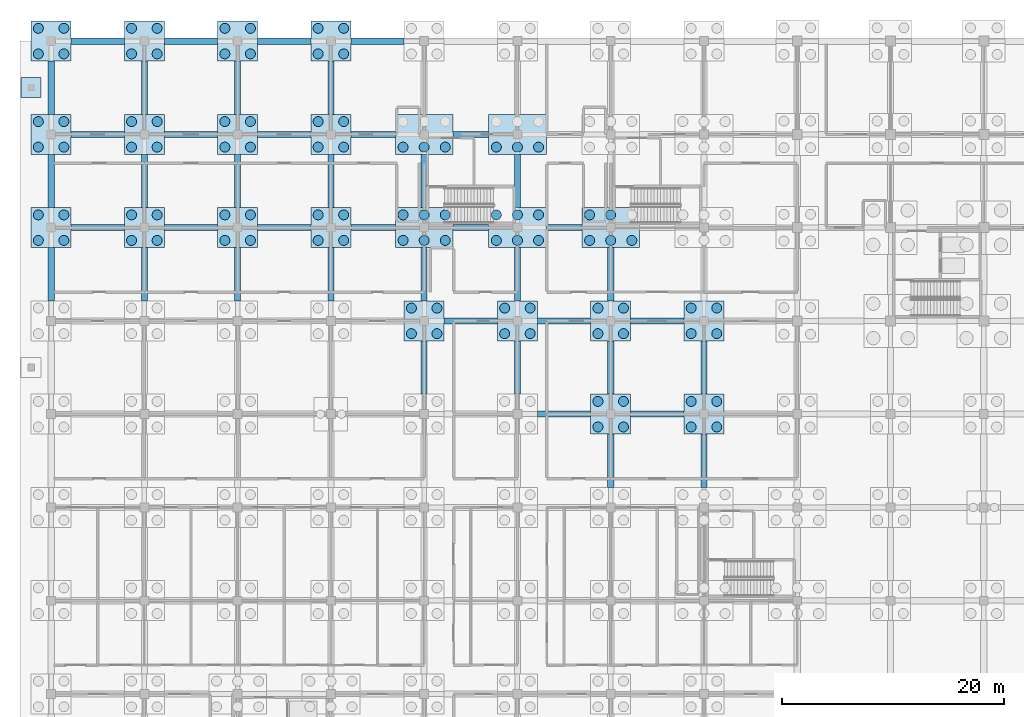
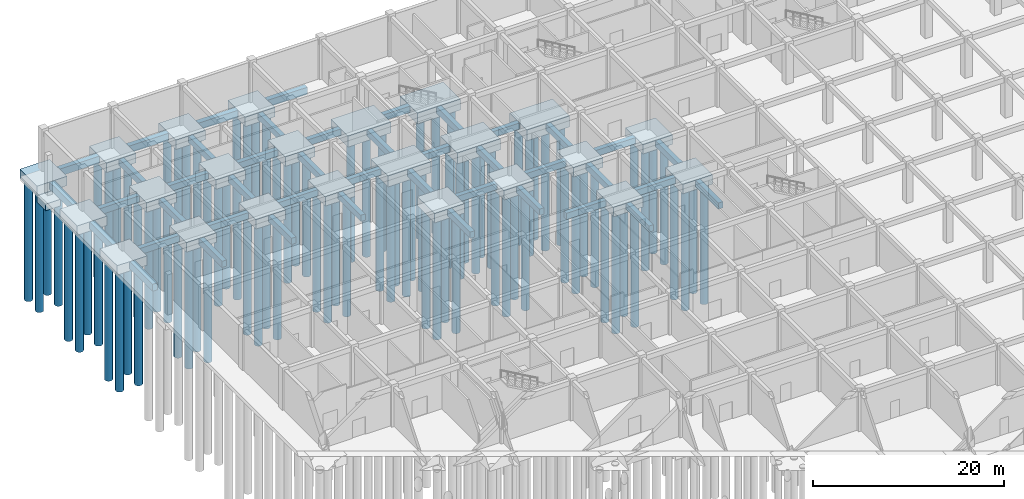
# One storey, part 8 of 65: 95 piles, 67 footings.
"""IFC4 building model written with IfcOpenShell, lengths in metres."""

from ifc_helpers import new_model, si_unit, direction, frame, origin, origin_2d, place, context, subcontext, project, spatial, rectangle, circle, extrude, material, material_profile, profile_set, type_object, element, save


model = new_model("IFC4")

# Units and contexts
model_context = context("Model", 3, precision=1e-05, world=origin(), true_north=direction((0.0, 1.0)))
body_context = subcontext(model_context, "Body", "Model", "MODEL_VIEW")
ifc_project = project(units=[si_unit("LENGTHUNIT", "METRE"), si_unit("AREAUNIT", "SQUARE_METRE"), si_unit("VOLUMEUNIT", "CUBIC_METRE"), si_unit("PLANEANGLEUNIT", "RADIAN"), si_unit("MASSUNIT", "GRAM", prefix="KILO")], contexts=[model_context])

# Site, building, storey
site_placement = place(None, origin())
site = spatial("IfcSite", under=ifc_project, at=site_placement, CompositionType="ELEMENT")
building_placement = place(site_placement, origin())
building = spatial("IfcBuilding", under=site, at=building_placement, Name="Bramfleet General Hospital", CompositionType="ELEMENT")
storey_placement = place(building_placement, frame((0.0, 0.0, -5.39990234375)))
storey = spatial("IfcBuildingStorey", under=building, at=storey_placement, Name="B1", CompositionType="ELEMENT", Elevation=-5.39990234375)

# Footings
ifc_material = material(Name="Concrete C35/45", Category="concrete")
ifc_material_profile_1 = material_profile(ifc_material, rectangle(XDim=0.550048828125, YDim=0.800048828125, at=origin_2d()), Name="RC FB 800x550")
ifc_profile_set_1 = profile_set([ifc_material_profile_1], Name="Concrete C35/45")
footing_type_1 = type_object("IfcFootingType", Name="FTG-FB-01", PredefinedType="FOOTING_BEAM", material=ifc_profile_set_1)
for number, where, z_axis, x_axis, name in (
    (1, (1.800048828125, 100.800048828125, -0.900146484375), (1.0, 0.0, 0.0), (0.0, 1.0, 0.0), "Foundation Tie Beam X 00-12"),
    (2, (1.800048828125, 109.199951171875, -0.900146484375), (1.0, 0.0, 0.0), (0.0, 1.0, 0.0), "Foundation Tie Beam X 00-13"),
    (3, (8.39990234375, 94.199951171875, -0.900146484375), (0.0, 1.0, 0.0), (-1.0, 0.0, 0.0), "Foundation Tie Beam Y 01-11"),
    (4, (10.199951171875, 100.800048828125, -0.900146484375), (1.0, 0.0, 0.0), (0.0, 1.0, 0.0), "Foundation Tie Beam X 01-12"),
):
    element("IfcFooting", number, at=place(storey_placement, frame(where, z_axis=z_axis, x_axis=x_axis)), inside=storey, type_object=footing_type_1, Name=name, PredefinedType="FOOTING_BEAM", context=body_context, shape_type="SweptSolid", body=[
        extrude(rectangle(XDim=0.550048828125, YDim=0.800048828125, at=origin_2d()), origin(), (0.0, 0.0, 1.0), 4.800048828125),
    ])
footing_1_placement = place(storey_placement, frame((8.39990234375, 102.60009765625, -0.900146484375), z_axis=(0.0, 1.0, 0.0), x_axis=(-1.0, 0.0, 0.0)))
element("IfcFooting", 5, at=footing_1_placement, inside=storey, type_object=footing_type_1, Name="Foundation Tie Beam Y 01-12", PredefinedType="FOOTING_BEAM", context=body_context, shape_type="SweptSolid", body=[
    extrude(rectangle(XDim=0.550048828125, YDim=0.800048828125, at=origin_2d()), origin(), (0.0, 0.0, 1.0), 4.7998046875),
])
for number, where, z_axis, x_axis, name in (
    (6, (10.199951171875, 109.199951171875, -0.900146484375), (1.0, 0.0, 0.0), (0.0, 1.0, 0.0), "Foundation Tie Beam X 01-13"),
    (7, (8.39990234375, 111.0, -0.900146484375), (0.0, 1.0, 0.0), (-1.0, 0.0, 0.0), "Foundation Tie Beam Y 01-13"),
    (8, (16.800048828125, 94.199951171875, -0.900146484375), (0.0, 1.0, 0.0), (-1.0, 0.0, 0.0), "Foundation Tie Beam Y 02-11"),
):
    element("IfcFooting", number, at=place(storey_placement, frame(where, z_axis=z_axis, x_axis=x_axis)), inside=storey, type_object=footing_type_1, Name=name, PredefinedType="FOOTING_BEAM", context=body_context, shape_type="SweptSolid", body=[
        extrude(rectangle(XDim=0.550048828125, YDim=0.800048828125, at=origin_2d()), origin(), (0.0, 0.0, 1.0), 4.800048828125),
    ])
for number, where, z_axis, x_axis, name in (
    (9, (18.60009765625, 100.800048828125, -0.900146484375), (1.0, 0.0, 0.0), (0.0, 1.0, 0.0), "Foundation Tie Beam X 02-12"),
    (10, (16.800048828125, 102.60009765625, -0.900146484375), (0.0, 1.0, 0.0), (-1.0, 0.0, 0.0), "Foundation Tie Beam Y 02-12"),
    (11, (18.60009765625, 109.199951171875, -0.900146484375), (1.0, 0.0, 0.0), (0.0, 1.0, 0.0), "Foundation Tie Beam X 02-13"),
):
    element("IfcFooting", number, at=place(storey_placement, frame(where, z_axis=z_axis, x_axis=x_axis)), inside=storey, type_object=footing_type_1, Name=name, PredefinedType="FOOTING_BEAM", context=body_context, shape_type="SweptSolid", body=[
        extrude(rectangle(XDim=0.550048828125, YDim=0.800048828125, at=origin_2d()), origin(), (0.0, 0.0, 1.0), 4.7998046875),
    ])
for number, where, z_axis, x_axis, name in (
    (12, (16.800048828125, 111.0, -0.900146484375), (0.0, 1.0, 0.0), (-1.0, 0.0, 0.0), "Foundation Tie Beam Y 02-13"),
    (13, (25.199951171875, 94.199951171875, -0.900146484375), (0.0, 1.0, 0.0), (-1.0, 0.0, 0.0), "Foundation Tie Beam Y 03-11"),
):
    element("IfcFooting", number, at=place(storey_placement, frame(where, z_axis=z_axis, x_axis=x_axis)), inside=storey, type_object=footing_type_1, Name=name, PredefinedType="FOOTING_BEAM", context=body_context, shape_type="SweptSolid", body=[
        extrude(rectangle(XDim=0.550048828125, YDim=0.800048828125, at=origin_2d()), origin(), (0.0, 0.0, 1.0), 4.800048828125),
    ])
footing_2_placement = place(storey_placement, frame((27.0, 100.800048828125, -0.900146484375), z_axis=(1.0, 0.0, 0.0), x_axis=(0.0, 1.0, 0.0)))
element("IfcFooting", 14, at=footing_2_placement, inside=storey, type_object=footing_type_1, Name="Foundation Tie Beam X 03-12", PredefinedType="FOOTING_BEAM", context=body_context, shape_type="SweptSolid", body=[
    extrude(rectangle(XDim=0.550048828125, YDim=0.800048828125, at=origin_2d()), origin(), (0.0, 0.0, 1.0), 4.0),
])
footing_3_placement = place(storey_placement, frame((25.199951171875, 102.60009765625, -0.900146484375), z_axis=(0.0, 1.0, 0.0), x_axis=(-1.0, 0.0, 0.0)))
element("IfcFooting", 15, at=footing_3_placement, inside=storey, type_object=footing_type_1, Name="Foundation Tie Beam Y 03-12", PredefinedType="FOOTING_BEAM", context=body_context, shape_type="SweptSolid", body=[
    extrude(rectangle(XDim=0.550048828125, YDim=0.800048828125, at=origin_2d()), origin(), (0.0, 0.0, 1.0), 4.7998046875),
])
footing_4_placement = place(storey_placement, frame((27.0, 109.199951171875, -0.900146484375), z_axis=(1.0, 0.0, 0.0), x_axis=(0.0, 1.0, 0.0)))
element("IfcFooting", 16, at=footing_4_placement, inside=storey, type_object=footing_type_1, Name="Foundation Tie Beam X 03-13", PredefinedType="FOOTING_BEAM", context=body_context, shape_type="SweptSolid", body=[
    extrude(rectangle(XDim=0.550048828125, YDim=0.800048828125, at=origin_2d()), origin(), (0.0, 0.0, 1.0), 4.0),
])
for number, where, z_axis, x_axis, name in (
    (17, (25.199951171875, 111.0, -0.900146484375), (0.0, 1.0, 0.0), (-1.0, 0.0, 0.0), "Foundation Tie Beam Y 03-13"),
    (18, (33.60009765625, 85.800048828125, -0.900146484375), (0.0, 1.0, 0.0), (-1.0, 0.0, 0.0), "Foundation Tie Beam Y 04-10"),
    (19, (35.39990234375, 92.39990234375, -0.900146484375), (1.0, 0.0, 0.0), (0.0, 1.0, 0.0), "Foundation Tie Beam X 04-11"),
    (20, (33.60009765625, 94.199951171875, -0.900146484375), (0.0, 1.0, 0.0), (-1.0, 0.0, 0.0), "Foundation Tie Beam Y 04-11"),
):
    element("IfcFooting", number, at=place(storey_placement, frame(where, z_axis=z_axis, x_axis=x_axis)), inside=storey, type_object=footing_type_1, Name=name, PredefinedType="FOOTING_BEAM", context=body_context, shape_type="SweptSolid", body=[
        extrude(rectangle(XDim=0.550048828125, YDim=0.800048828125, at=origin_2d()), origin(), (0.0, 0.0, 1.0), 4.800048828125),
    ])
footing_5_placement = place(storey_placement, frame((36.199951171875, 100.800048828125, -0.900146484375), z_axis=(1.0, 0.0, 0.0), x_axis=(0.0, 1.0, 0.0)))
element("IfcFooting", 21, at=footing_5_placement, inside=storey, type_object=footing_type_1, Name="Foundation Tie Beam X 04-12", PredefinedType="FOOTING_BEAM", context=body_context, shape_type="SweptSolid", body=[
    extrude(rectangle(XDim=0.550048828125, YDim=0.800048828125, at=origin_2d()), origin(), (0.0, 0.0, 1.0), 3.199951171875),
])
footing_6_placement = place(storey_placement, frame((33.60009765625, 102.60009765625, -0.900146484375), z_axis=(0.0, 1.0, 0.0), x_axis=(-1.0, 0.0, 0.0)))
element("IfcFooting", 22, at=footing_6_placement, inside=storey, type_object=footing_type_1, Name="Foundation Tie Beam Y 04-12", PredefinedType="FOOTING_BEAM", context=body_context, shape_type="SweptSolid", body=[
    extrude(rectangle(XDim=0.550048828125, YDim=0.800048828125, at=origin_2d()), origin(), (0.0, 0.0, 1.0), 4.7998046875),
])
footing_7_placement = place(storey_placement, frame((36.199951171875, 109.199951171875, -0.900146484375), z_axis=(1.0, 0.0, 0.0), x_axis=(0.0, 1.0, 0.0)))
element("IfcFooting", 23, at=footing_7_placement, inside=storey, type_object=footing_type_1, Name="Foundation Tie Beam X 04-13", PredefinedType="FOOTING_BEAM", context=body_context, shape_type="SweptSolid", body=[
    extrude(rectangle(XDim=0.550048828125, YDim=0.800048828125, at=origin_2d()), origin(), (0.0, 0.0, 1.0), 3.199951171875),
])
for number, where, z_axis, x_axis, name in (
    (24, (43.800048828125, 84.0, -0.900146484375), (1.0, 0.0, 0.0), (0.0, 1.0, 0.0), "Foundation Tie Beam X 05-10"),
    (25, (42.0, 85.800048828125, -0.900146484375), (0.0, 1.0, 0.0), (-1.0, 0.0, 0.0), "Foundation Tie Beam Y 05-10"),
    (26, (43.800048828125, 92.39990234375, -0.900146484375), (1.0, 0.0, 0.0), (0.0, 1.0, 0.0), "Foundation Tie Beam X 05-11"),
    (27, (42.0, 94.199951171875, -0.900146484375), (0.0, 1.0, 0.0), (-1.0, 0.0, 0.0), "Foundation Tie Beam Y 05-11"),
):
    element("IfcFooting", number, at=place(storey_placement, frame(where, z_axis=z_axis, x_axis=x_axis)), inside=storey, type_object=footing_type_1, Name=name, PredefinedType="FOOTING_BEAM", context=body_context, shape_type="SweptSolid", body=[
        extrude(rectangle(XDim=0.550048828125, YDim=0.800048828125, at=origin_2d()), origin(), (0.0, 0.0, 1.0), 4.800048828125),
    ])
footing_8_placement = place(storey_placement, frame((44.60009765625, 100.800048828125, -0.900146484375), z_axis=(1.0, 0.0, 0.0), x_axis=(0.0, 1.0, 0.0)))
element("IfcFooting", 28, at=footing_8_placement, inside=storey, type_object=footing_type_1, Name="Foundation Tie Beam X 05-12", PredefinedType="FOOTING_BEAM", context=body_context, shape_type="SweptSolid", body=[
    extrude(rectangle(XDim=0.550048828125, YDim=0.800048828125, at=origin_2d()), origin(), (0.0, 0.0, 1.0), 3.199951171875),
])
footing_9_placement = place(storey_placement, frame((42.0, 102.60009765625, -0.900146484375), z_axis=(0.0, 1.0, 0.0), x_axis=(-1.0, 0.0, 0.0)))
element("IfcFooting", 29, at=footing_9_placement, inside=storey, type_object=footing_type_1, Name="Foundation Tie Beam Y 05-12", PredefinedType="FOOTING_BEAM", context=body_context, shape_type="SweptSolid", body=[
    extrude(rectangle(XDim=0.550048828125, YDim=0.800048828125, at=origin_2d()), origin(), (0.0, 0.0, 1.0), 4.7998046875),
])
for number, where, z_axis, x_axis, name in (
    (30, (50.39990234375, 77.39990234375, -0.900146484375), (0.0, 1.0, 0.0), (-1.0, 0.0, 0.0), "Foundation Tie Beam Y 06-09"),
    (31, (52.199951171875, 84.0, -0.900146484375), (1.0, 0.0, 0.0), (0.0, 1.0, 0.0), "Foundation Tie Beam X 06-10"),
    (32, (50.39990234375, 85.800048828125, -0.900146484375), (0.0, 1.0, 0.0), (-1.0, 0.0, 0.0), "Foundation Tie Beam Y 06-10"),
    (33, (52.199951171875, 92.39990234375, -0.900146484375), (1.0, 0.0, 0.0), (0.0, 1.0, 0.0), "Foundation Tie Beam X 06-11"),
    (34, (50.39990234375, 94.199951171875, -0.900146484375), (0.0, 1.0, 0.0), (-1.0, 0.0, 0.0), "Foundation Tie Beam Y 06-11"),
    (35, (58.800048828125, 77.39990234375, -0.900146484375), (0.0, 1.0, 0.0), (-1.0, 0.0, 0.0), "Foundation Tie Beam Y 07-09"),
    (36, (58.800048828125, 85.800048828125, -0.900146484375), (0.0, 1.0, 0.0), (-1.0, 0.0, 0.0), "Foundation Tie Beam Y 07-10"),
):
    element("IfcFooting", number, at=place(storey_placement, frame(where, z_axis=z_axis, x_axis=x_axis)), inside=storey, type_object=footing_type_1, Name=name, PredefinedType="FOOTING_BEAM", context=body_context, shape_type="SweptSolid", body=[
        extrude(rectangle(XDim=0.550048828125, YDim=0.800048828125, at=origin_2d()), origin(), (0.0, 0.0, 1.0), 4.800048828125),
    ])
ifc_material_profile_2 = material_profile(ifc_material, rectangle(XDim=0.60009765625, YDim=0.89990234375, at=origin_2d()), Name="RC FB 900x600")
ifc_profile_set_2 = profile_set([ifc_material_profile_2], Name="Concrete C35/45")
footing_type_2 = type_object("IfcFootingType", Name="FTG-FB-02", PredefinedType="FOOTING_BEAM", material=ifc_profile_set_2)
footing_10_placement = place(storey_placement, frame((0.0, 94.199951171875, -0.9501953125), z_axis=(0.0, 1.0, 0.0), x_axis=(-1.0, 0.0, 0.0)))
element("IfcFooting", 37, at=footing_10_placement, inside=storey, type_object=footing_type_2, Name="Foundation Tie Beam Y 00-11", PredefinedType="FOOTING_BEAM", context=body_context, shape_type="SweptSolid", body=[
    extrude(rectangle(XDim=0.60009765625, YDim=0.89990234375, at=origin_2d()), origin(), (0.0, 0.0, 1.0), 4.800048828125),
])
footing_11_placement = place(storey_placement, frame((0.0, 102.60009765625, -0.9501953125), z_axis=(0.0, 1.0, 0.0), x_axis=(-1.0, 0.0, 0.0)))
element("IfcFooting", 38, at=footing_11_placement, inside=storey, type_object=footing_type_2, Name="Foundation Tie Beam Y 00-12", PredefinedType="FOOTING_BEAM", context=body_context, shape_type="SweptSolid", body=[
    extrude(rectangle(XDim=0.60009765625, YDim=0.89990234375, at=origin_2d()), origin(), (0.0, 0.0, 1.0), 4.7998046875),
])
for number, where, z_axis, x_axis, name in (
    (39, (0.0, 111.0, -0.9501953125), (0.0, 1.0, 0.0), (-1.0, 0.0, 0.0), "Foundation Tie Beam Y 00-13"),
    (40, (1.800048828125, 117.60009765625, -0.9501953125), (1.0, 0.0, 0.0), (0.0, 1.0, 0.0), "Foundation Tie Beam X 00-14"),
    (41, (10.199951171875, 117.60009765625, -0.9501953125), (1.0, 0.0, 0.0), (0.0, 1.0, 0.0), "Foundation Tie Beam X 01-14"),
):
    element("IfcFooting", number, at=place(storey_placement, frame(where, z_axis=z_axis, x_axis=x_axis)), inside=storey, type_object=footing_type_2, Name=name, PredefinedType="FOOTING_BEAM", context=body_context, shape_type="SweptSolid", body=[
        extrude(rectangle(XDim=0.60009765625, YDim=0.89990234375, at=origin_2d()), origin(), (0.0, 0.0, 1.0), 4.800048828125),
    ])
footing_12_placement = place(storey_placement, frame((18.60009765625, 117.60009765625, -0.9501953125), z_axis=(1.0, 0.0, 0.0), x_axis=(0.0, 1.0, 0.0)))
element("IfcFooting", 42, at=footing_12_placement, inside=storey, type_object=footing_type_2, Name="Foundation Tie Beam X 02-14", PredefinedType="FOOTING_BEAM", context=body_context, shape_type="SweptSolid", body=[
    extrude(rectangle(XDim=0.60009765625, YDim=0.89990234375, at=origin_2d()), origin(), (0.0, 0.0, 1.0), 4.7998046875),
])
footing_13_placement = place(storey_placement, frame((27.0, 117.60009765625, -0.9501953125), z_axis=(1.0, 0.0, 0.0), x_axis=(0.0, 1.0, 0.0)))
element("IfcFooting", 43, at=footing_13_placement, inside=storey, type_object=footing_type_2, Name="Foundation Tie Beam X 03-14", PredefinedType="FOOTING_BEAM", context=body_context, shape_type="SweptSolid", body=[
    extrude(rectangle(XDim=0.60009765625, YDim=0.89990234375, at=origin_2d()), origin(), (0.0, 0.0, 1.0), 4.800048828125),
])
footing_type_3 = type_object("IfcFootingType", Name="FTG-PC-03", PredefinedType="PILE_CAP", material=ifc_material)
for number, where, z_axis, x_axis, name in (
    (44, (0.0, 100.800048828125, -1.7001953125), (0.0, 0.0, 1.0), (1.0, 0.0, 0.0), "Pile Cap FTG-B1-00-12"),
    (45, (0.0, 109.199951171875, -1.7001953125), (0.0, 0.0, 1.0), (1.0, 0.0, 0.0), "Pile Cap FTG-B1-00-13"),
    (46, (0.0, 117.60009765625, -1.7001953125), (0.0, 0.0, 1.0), (1.0, 0.0, 0.0), "Pile Cap FTG-B1-00-14"),
    (47, (8.39990234375, 100.800048828125, -1.7001953125), (0.0, 0.0, 1.0), (1.0, 0.0, 0.0), "Pile Cap FTG-B1-01-12"),
    (48, (8.39990234375, 109.199951171875, -1.7001953125), (0.0, 0.0, 1.0), (1.0, 0.0, 0.0), "Pile Cap FTG-B1-01-13"),
    (49, (8.39990234375, 117.60009765625, -1.7001953125), (0.0, 0.0, 1.0), (1.0, 0.0, 0.0), "Pile Cap FTG-B1-01-14"),
    (50, (16.800048828125, 100.800048828125, -1.7001953125), (0.0, 0.0, 1.0), (1.0, 0.0, 0.0), "Pile Cap FTG-B1-02-12"),
    (51, (16.800048828125, 109.199951171875, -1.7001953125), (0.0, 0.0, 1.0), (1.0, 0.0, 0.0), "Pile Cap FTG-B1-02-13"),
    (52, (16.800048828125, 117.60009765625, -1.7001953125), (0.0, 0.0, 1.0), (1.0, 0.0, 0.0), "Pile Cap FTG-B1-02-14"),
    (53, (25.199951171875, 100.800048828125, -1.7001953125), (0.0, 0.0, 1.0), (1.0, 0.0, 0.0), "Pile Cap FTG-B1-03-12"),
    (54, (25.199951171875, 109.199951171875, -1.7001953125), (0.0, 0.0, 1.0), (1.0, 0.0, 0.0), "Pile Cap FTG-B1-03-13"),
    (55, (25.199951171875, 117.60009765625, -1.7001953125), (0.0, 0.0, 1.0), (1.0, 0.0, 0.0), "Pile Cap FTG-B1-03-14"),
    (56, (33.60009765625, 92.39990234375, -1.7001953125), (0.0, 0.0, 1.0), (1.0, 0.0, 0.0), "Pile Cap FTG-B1-04-11"),
    (57, (42.0, 92.39990234375, -1.7001953125), (0.0, 0.0, 1.0), (1.0, 0.0, 0.0), "Pile Cap FTG-B1-05-11"),
    (58, (50.39990234375, 84.0, -1.7001953125), (0.0, 0.0, 1.0), (1.0, 0.0, 0.0), "Pile Cap FTG-B1-06-10"),
    (59, (50.39990234375, 92.39990234375, -1.7001953125), (0.0, 0.0, 1.0), (1.0, 0.0, 0.0), "Pile Cap FTG-B1-06-11"),
    (60, (58.800048828125, 84.0, -1.7001953125), (0.0, 0.0, 1.0), (1.0, 0.0, 0.0), "Pile Cap FTG-B1-07-10"),
    (61, (58.800048828125, 92.39990234375, -1.7001953125), (0.0, 0.0, 1.0), (1.0, 0.0, 0.0), "Pile Cap FTG-B1-07-11"),
):
    element("IfcFooting", number, at=place(storey_placement, frame(where, z_axis=z_axis, x_axis=x_axis)), inside=storey, type_object=footing_type_3, Name=name, PredefinedType="PILE_CAP", context=body_context, shape_type="SweptSolid", body=[
        extrude(rectangle(XDim=3.60009765625, YDim=3.60009765625, at=origin_2d()), origin(), (0.0, 0.0, 1.0), 1.199951171875),
    ])
footing_type_4 = type_object("IfcFootingType", Name="FTG-PC-06", PredefinedType="PILE_CAP", material=ifc_material)
for number, where, z_axis, x_axis, name in (
    (62, (33.60009765625, 100.800048828125, -1.900146484375), (0.0, 0.0, 1.0), (1.0, 0.0, 0.0), "Pile Cap FTG-B1-04-12"),
    (63, (33.60009765625, 109.199951171875, -1.900146484375), (0.0, 0.0, 1.0), (1.0, 0.0, 0.0), "Pile Cap FTG-B1-04-13"),
    (64, (42.0, 100.800048828125, -1.900146484375), (0.0, 0.0, 1.0), (1.0, 0.0, 0.0), "Pile Cap FTG-B1-05-12"),
    (65, (42.0, 109.199951171875, -1.900146484375), (0.0, 0.0, 1.0), (1.0, 0.0, 0.0), "Pile Cap FTG-B1-05-13"),
    (66, (50.39990234375, 100.800048828125, -1.900146484375), (0.0, 0.0, 1.0), (1.0, 0.0, 0.0), "Pile Cap FTG-B1-06-12"),
):
    element("IfcFooting", number, at=place(storey_placement, frame(where, z_axis=z_axis, x_axis=x_axis)), inside=storey, type_object=footing_type_4, Name=name, PredefinedType="PILE_CAP", context=body_context, shape_type="SweptSolid", body=[
        extrude(rectangle(XDim=5.199951171875, YDim=3.60009765625, at=origin_2d()), origin(), (0.0, 0.0, 1.0), 1.39990234375),
    ])
footing_type_5 = type_object("IfcFootingType", Name="FTG-PF-01", PredefinedType="PAD_FOOTING", material=ifc_material)
footing_14_placement = place(storey_placement, frame((-1.800048828125, 113.39990234375, -1.35009765625), z_axis=(0.0, 0.0, 1.0), x_axis=(1.0, 0.0, 0.0)))
element("IfcFooting", 67, at=footing_14_placement, inside=storey, type_object=footing_type_5, Name="West Plinth Pad Footing 4", PredefinedType="PAD_FOOTING", context=body_context, shape_type="SweptSolid", body=[
    extrude(rectangle(XDim=1.800048828125, YDim=1.800048828125, at=origin_2d()), origin(), (0.0, 0.0, 1.0), 0.85009765625),
])

# Piles
ifc_material_profile_3 = material_profile(ifc_material, circle(Radius=0.449951171875, at=origin_2d()), Name="PILE BORED D900")
ifc_profile_set_3 = profile_set([ifc_material_profile_3], Name="Concrete C35/45")
pile_type = type_object("IfcPileType", Name="PILE-D900", PredefinedType="BORED", material=ifc_profile_set_3)
for number, where, z_axis, x_axis, name in (
    (68, (-1.14990234375, 99.64990234375, -1.60009765625), (0.0, 0.0, -1.0), (1.0, 0.0, 0.0), "Bored Pile PILE-B1-00-12-1"),
    (69, (1.14990234375, 99.64990234375, -1.60009765625), (0.0, 0.0, -1.0), (1.0, 0.0, 0.0), "Bored Pile PILE-B1-00-12-2"),
    (70, (-1.14990234375, 101.949951171875, -1.60009765625), (0.0, 0.0, -1.0), (1.0, 0.0, 0.0), "Bored Pile PILE-B1-00-12-3"),
    (71, (1.14990234375, 101.949951171875, -1.60009765625), (0.0, 0.0, -1.0), (1.0, 0.0, 0.0), "Bored Pile PILE-B1-00-12-4"),
    (72, (-1.14990234375, 108.050048828125, -1.60009765625), (0.0, 0.0, -1.0), (1.0, 0.0, 0.0), "Bored Pile PILE-B1-00-13-1"),
    (73, (1.14990234375, 108.050048828125, -1.60009765625), (0.0, 0.0, -1.0), (1.0, 0.0, 0.0), "Bored Pile PILE-B1-00-13-2"),
    (74, (-1.14990234375, 110.35009765625, -1.60009765625), (0.0, 0.0, -1.0), (1.0, 0.0, 0.0), "Bored Pile PILE-B1-00-13-3"),
    (75, (1.14990234375, 110.35009765625, -1.60009765625), (0.0, 0.0, -1.0), (1.0, 0.0, 0.0), "Bored Pile PILE-B1-00-13-4"),
    (76, (-1.14990234375, 116.449951171875, -1.60009765625), (0.0, 0.0, -1.0), (1.0, 0.0, 0.0), "Bored Pile PILE-B1-00-14-1"),
    (77, (1.14990234375, 116.449951171875, -1.60009765625), (0.0, 0.0, -1.0), (1.0, 0.0, 0.0), "Bored Pile PILE-B1-00-14-2"),
    (78, (-1.14990234375, 118.75, -1.60009765625), (0.0, 0.0, -1.0), (1.0, 0.0, 0.0), "Bored Pile PILE-B1-00-14-3"),
    (79, (1.14990234375, 118.75, -1.60009765625), (0.0, 0.0, -1.0), (1.0, 0.0, 0.0), "Bored Pile PILE-B1-00-14-4"),
    (80, (7.25, 99.64990234375, -1.60009765625), (0.0, 0.0, -1.0), (1.0, 0.0, 0.0), "Bored Pile PILE-B1-01-12-1"),
    (81, (9.550048828125, 99.64990234375, -1.60009765625), (0.0, 0.0, -1.0), (1.0, 0.0, 0.0), "Bored Pile PILE-B1-01-12-2"),
    (82, (7.25, 101.949951171875, -1.60009765625), (0.0, 0.0, -1.0), (1.0, 0.0, 0.0), "Bored Pile PILE-B1-01-12-3"),
    (83, (9.550048828125, 101.949951171875, -1.60009765625), (0.0, 0.0, -1.0), (1.0, 0.0, 0.0), "Bored Pile PILE-B1-01-12-4"),
    (84, (7.25, 108.050048828125, -1.60009765625), (0.0, 0.0, -1.0), (1.0, 0.0, 0.0), "Bored Pile PILE-B1-01-13-1"),
    (85, (9.550048828125, 108.050048828125, -1.60009765625), (0.0, 0.0, -1.0), (1.0, 0.0, 0.0), "Bored Pile PILE-B1-01-13-2"),
    (86, (7.25, 110.35009765625, -1.60009765625), (0.0, 0.0, -1.0), (1.0, 0.0, 0.0), "Bored Pile PILE-B1-01-13-3"),
    (87, (9.550048828125, 110.35009765625, -1.60009765625), (0.0, 0.0, -1.0), (1.0, 0.0, 0.0), "Bored Pile PILE-B1-01-13-4"),
    (88, (7.25, 116.449951171875, -1.60009765625), (0.0, 0.0, -1.0), (1.0, 0.0, 0.0), "Bored Pile PILE-B1-01-14-1"),
    (89, (9.550048828125, 116.449951171875, -1.60009765625), (0.0, 0.0, -1.0), (1.0, 0.0, 0.0), "Bored Pile PILE-B1-01-14-2"),
    (90, (7.25, 118.75, -1.60009765625), (0.0, 0.0, -1.0), (1.0, 0.0, 0.0), "Bored Pile PILE-B1-01-14-3"),
    (91, (9.550048828125, 118.75, -1.60009765625), (0.0, 0.0, -1.0), (1.0, 0.0, 0.0), "Bored Pile PILE-B1-01-14-4"),
    (92, (15.64990234375, 99.64990234375, -1.60009765625), (0.0, 0.0, -1.0), (1.0, 0.0, 0.0), "Bored Pile PILE-B1-02-12-1"),
    (93, (17.949951171875, 99.64990234375, -1.60009765625), (0.0, 0.0, -1.0), (1.0, 0.0, 0.0), "Bored Pile PILE-B1-02-12-2"),
    (94, (15.64990234375, 101.949951171875, -1.60009765625), (0.0, 0.0, -1.0), (1.0, 0.0, 0.0), "Bored Pile PILE-B1-02-12-3"),
    (95, (17.949951171875, 101.949951171875, -1.60009765625), (0.0, 0.0, -1.0), (1.0, 0.0, 0.0), "Bored Pile PILE-B1-02-12-4"),
    (96, (15.64990234375, 108.050048828125, -1.60009765625), (0.0, 0.0, -1.0), (1.0, 0.0, 0.0), "Bored Pile PILE-B1-02-13-1"),
    (97, (17.949951171875, 108.050048828125, -1.60009765625), (0.0, 0.0, -1.0), (1.0, 0.0, 0.0), "Bored Pile PILE-B1-02-13-2"),
    (98, (15.64990234375, 110.35009765625, -1.60009765625), (0.0, 0.0, -1.0), (1.0, 0.0, 0.0), "Bored Pile PILE-B1-02-13-3"),
    (99, (17.949951171875, 110.35009765625, -1.60009765625), (0.0, 0.0, -1.0), (1.0, 0.0, 0.0), "Bored Pile PILE-B1-02-13-4"),
    (100, (15.64990234375, 116.449951171875, -1.60009765625), (0.0, 0.0, -1.0), (1.0, 0.0, 0.0), "Bored Pile PILE-B1-02-14-1"),
    (101, (17.949951171875, 116.449951171875, -1.60009765625), (0.0, 0.0, -1.0), (1.0, 0.0, 0.0), "Bored Pile PILE-B1-02-14-2"),
    (102, (15.64990234375, 118.75, -1.60009765625), (0.0, 0.0, -1.0), (1.0, 0.0, 0.0), "Bored Pile PILE-B1-02-14-3"),
    (103, (17.949951171875, 118.75, -1.60009765625), (0.0, 0.0, -1.0), (1.0, 0.0, 0.0), "Bored Pile PILE-B1-02-14-4"),
    (104, (24.050048828125, 99.64990234375, -1.60009765625), (0.0, 0.0, -1.0), (1.0, 0.0, 0.0), "Bored Pile PILE-B1-03-12-1"),
    (105, (26.35009765625, 99.64990234375, -1.60009765625), (0.0, 0.0, -1.0), (1.0, 0.0, 0.0), "Bored Pile PILE-B1-03-12-2"),
    (106, (24.050048828125, 101.949951171875, -1.60009765625), (0.0, 0.0, -1.0), (1.0, 0.0, 0.0), "Bored Pile PILE-B1-03-12-3"),
    (107, (26.35009765625, 101.949951171875, -1.60009765625), (0.0, 0.0, -1.0), (1.0, 0.0, 0.0), "Bored Pile PILE-B1-03-12-4"),
    (108, (24.050048828125, 108.050048828125, -1.60009765625), (0.0, 0.0, -1.0), (1.0, 0.0, 0.0), "Bored Pile PILE-B1-03-13-1"),
    (109, (26.35009765625, 108.050048828125, -1.60009765625), (0.0, 0.0, -1.0), (1.0, 0.0, 0.0), "Bored Pile PILE-B1-03-13-2"),
    (110, (24.050048828125, 110.35009765625, -1.60009765625), (0.0, 0.0, -1.0), (1.0, 0.0, 0.0), "Bored Pile PILE-B1-03-13-3"),
    (111, (26.35009765625, 110.35009765625, -1.60009765625), (0.0, 0.0, -1.0), (1.0, 0.0, 0.0), "Bored Pile PILE-B1-03-13-4"),
    (112, (24.050048828125, 116.449951171875, -1.60009765625), (0.0, 0.0, -1.0), (1.0, 0.0, 0.0), "Bored Pile PILE-B1-03-14-1"),
    (113, (26.35009765625, 116.449951171875, -1.60009765625), (0.0, 0.0, -1.0), (1.0, 0.0, 0.0), "Bored Pile PILE-B1-03-14-2"),
    (114, (24.050048828125, 118.75, -1.60009765625), (0.0, 0.0, -1.0), (1.0, 0.0, 0.0), "Bored Pile PILE-B1-03-14-3"),
    (115, (26.35009765625, 118.75, -1.60009765625), (0.0, 0.0, -1.0), (1.0, 0.0, 0.0), "Bored Pile PILE-B1-03-14-4"),
    (116, (32.449951171875, 91.25, -1.60009765625), (0.0, 0.0, -1.0), (1.0, 0.0, 0.0), "Bored Pile PILE-B1-04-11-1"),
    (117, (34.75, 91.25, -1.60009765625), (0.0, 0.0, -1.0), (1.0, 0.0, 0.0), "Bored Pile PILE-B1-04-11-2"),
    (118, (32.449951171875, 93.550048828125, -1.60009765625), (0.0, 0.0, -1.0), (1.0, 0.0, 0.0), "Bored Pile PILE-B1-04-11-3"),
    (119, (34.75, 93.550048828125, -1.60009765625), (0.0, 0.0, -1.0), (1.0, 0.0, 0.0), "Bored Pile PILE-B1-04-11-4"),
):
    element("IfcPile", number, at=place(storey_placement, frame(where, z_axis=z_axis, x_axis=x_axis)), inside=storey, type_object=pile_type, Name=name, PredefinedType="BORED", context=body_context, shape_type="SweptSolid", body=[
        extrude(circle(Radius=0.449951171875, at=origin_2d()), origin(), (0.0, 0.0, 1.0), 15.39990234375),
    ])
for number, where, z_axis, x_axis, name in (
    (120, (31.699951171875, 99.64990234375, -1.800048828125), (0.0, 0.0, -1.0), (1.0, 0.0, 0.0), "Bored Pile PILE-B1-04-12-1"),
    (121, (33.60009765625, 99.64990234375, -1.800048828125), (0.0, 0.0, -1.0), (1.0, 0.0, 0.0), "Bored Pile PILE-B1-04-12-2"),
    (122, (35.5, 99.64990234375, -1.800048828125), (0.0, 0.0, -1.0), (1.0, 0.0, 0.0), "Bored Pile PILE-B1-04-12-3"),
    (123, (31.699951171875, 101.949951171875, -1.800048828125), (0.0, 0.0, -1.0), (1.0, 0.0, 0.0), "Bored Pile PILE-B1-04-12-4"),
    (124, (33.60009765625, 101.949951171875, -1.800048828125), (0.0, 0.0, -1.0), (1.0, 0.0, 0.0), "Bored Pile PILE-B1-04-12-5"),
    (125, (35.5, 101.949951171875, -1.800048828125), (0.0, 0.0, -1.0), (1.0, 0.0, 0.0), "Bored Pile PILE-B1-04-12-6"),
    (126, (31.699951171875, 108.050048828125, -1.800048828125), (0.0, 0.0, -1.0), (1.0, 0.0, 0.0), "Bored Pile PILE-B1-04-13-1"),
    (127, (33.60009765625, 108.050048828125, -1.800048828125), (0.0, 0.0, -1.0), (1.0, 0.0, 0.0), "Bored Pile PILE-B1-04-13-2"),
    (128, (35.5, 108.050048828125, -1.800048828125), (0.0, 0.0, -1.0), (1.0, 0.0, 0.0), "Bored Pile PILE-B1-04-13-3"),
):
    element("IfcPile", number, at=place(storey_placement, frame(where, z_axis=z_axis, x_axis=x_axis)), inside=storey, type_object=pile_type, Name=name, PredefinedType="BORED", context=body_context, shape_type="SweptSolid", body=[
        extrude(circle(Radius=0.449951171875, at=origin_2d()), origin(), (0.0, 0.0, 1.0), 15.199951171875),
    ])
for number, where, z_axis, x_axis, name in (
    (129, (40.85009765625, 91.25, -1.60009765625), (0.0, 0.0, -1.0), (1.0, 0.0, 0.0), "Bored Pile PILE-B1-05-11-1"),
    (130, (43.14990234375, 91.25, -1.60009765625), (0.0, 0.0, -1.0), (1.0, 0.0, 0.0), "Bored Pile PILE-B1-05-11-2"),
    (131, (40.85009765625, 93.550048828125, -1.60009765625), (0.0, 0.0, -1.0), (1.0, 0.0, 0.0), "Bored Pile PILE-B1-05-11-3"),
    (132, (43.14990234375, 93.550048828125, -1.60009765625), (0.0, 0.0, -1.0), (1.0, 0.0, 0.0), "Bored Pile PILE-B1-05-11-4"),
):
    element("IfcPile", number, at=place(storey_placement, frame(where, z_axis=z_axis, x_axis=x_axis)), inside=storey, type_object=pile_type, Name=name, PredefinedType="BORED", context=body_context, shape_type="SweptSolid", body=[
        extrude(circle(Radius=0.449951171875, at=origin_2d()), origin(), (0.0, 0.0, 1.0), 15.39990234375),
    ])
for number, where, z_axis, x_axis, name in (
    (133, (40.10009765625, 99.64990234375, -1.800048828125), (0.0, 0.0, -1.0), (1.0, 0.0, 0.0), "Bored Pile PILE-B1-05-12-1"),
    (134, (42.0, 99.64990234375, -1.800048828125), (0.0, 0.0, -1.0), (1.0, 0.0, 0.0), "Bored Pile PILE-B1-05-12-2"),
    (135, (43.89990234375, 99.64990234375, -1.800048828125), (0.0, 0.0, -1.0), (1.0, 0.0, 0.0), "Bored Pile PILE-B1-05-12-3"),
    (136, (40.10009765625, 101.949951171875, -1.800048828125), (0.0, 0.0, -1.0), (1.0, 0.0, 0.0), "Bored Pile PILE-B1-05-12-4"),
    (137, (42.0, 101.949951171875, -1.800048828125), (0.0, 0.0, -1.0), (1.0, 0.0, 0.0), "Bored Pile PILE-B1-05-12-5"),
    (138, (43.89990234375, 101.949951171875, -1.800048828125), (0.0, 0.0, -1.0), (1.0, 0.0, 0.0), "Bored Pile PILE-B1-05-12-6"),
    (139, (40.10009765625, 108.050048828125, -1.800048828125), (0.0, 0.0, -1.0), (1.0, 0.0, 0.0), "Bored Pile PILE-B1-05-13-1"),
    (140, (42.0, 108.050048828125, -1.800048828125), (0.0, 0.0, -1.0), (1.0, 0.0, 0.0), "Bored Pile PILE-B1-05-13-2"),
    (141, (43.89990234375, 108.050048828125, -1.800048828125), (0.0, 0.0, -1.0), (1.0, 0.0, 0.0), "Bored Pile PILE-B1-05-13-3"),
):
    element("IfcPile", number, at=place(storey_placement, frame(where, z_axis=z_axis, x_axis=x_axis)), inside=storey, type_object=pile_type, Name=name, PredefinedType="BORED", context=body_context, shape_type="SweptSolid", body=[
        extrude(circle(Radius=0.449951171875, at=origin_2d()), origin(), (0.0, 0.0, 1.0), 15.199951171875),
    ])
for number, where, z_axis, x_axis, name in (
    (142, (49.25, 82.85009765625, -1.60009765625), (0.0, 0.0, -1.0), (1.0, 0.0, 0.0), "Bored Pile PILE-B1-06-10-1"),
    (143, (51.550048828125, 82.85009765625, -1.60009765625), (0.0, 0.0, -1.0), (1.0, 0.0, 0.0), "Bored Pile PILE-B1-06-10-2"),
    (144, (49.25, 85.14990234375, -1.60009765625), (0.0, 0.0, -1.0), (1.0, 0.0, 0.0), "Bored Pile PILE-B1-06-10-3"),
    (145, (51.550048828125, 85.14990234375, -1.60009765625), (0.0, 0.0, -1.0), (1.0, 0.0, 0.0), "Bored Pile PILE-B1-06-10-4"),
    (146, (49.25, 91.25, -1.60009765625), (0.0, 0.0, -1.0), (1.0, 0.0, 0.0), "Bored Pile PILE-B1-06-11-1"),
    (147, (51.550048828125, 91.25, -1.60009765625), (0.0, 0.0, -1.0), (1.0, 0.0, 0.0), "Bored Pile PILE-B1-06-11-2"),
    (148, (49.25, 93.550048828125, -1.60009765625), (0.0, 0.0, -1.0), (1.0, 0.0, 0.0), "Bored Pile PILE-B1-06-11-3"),
    (149, (51.550048828125, 93.550048828125, -1.60009765625), (0.0, 0.0, -1.0), (1.0, 0.0, 0.0), "Bored Pile PILE-B1-06-11-4"),
):
    element("IfcPile", number, at=place(storey_placement, frame(where, z_axis=z_axis, x_axis=x_axis)), inside=storey, type_object=pile_type, Name=name, PredefinedType="BORED", context=body_context, shape_type="SweptSolid", body=[
        extrude(circle(Radius=0.449951171875, at=origin_2d()), origin(), (0.0, 0.0, 1.0), 15.39990234375),
    ])
for number, where, z_axis, x_axis, name in (
    (150, (48.5, 99.64990234375, -1.800048828125), (0.0, 0.0, -1.0), (1.0, 0.0, 0.0), "Bored Pile PILE-B1-06-12-1"),
    (151, (50.39990234375, 99.64990234375, -1.800048828125), (0.0, 0.0, -1.0), (1.0, 0.0, 0.0), "Bored Pile PILE-B1-06-12-2"),
    (152, (52.300048828125, 99.64990234375, -1.800048828125), (0.0, 0.0, -1.0), (1.0, 0.0, 0.0), "Bored Pile PILE-B1-06-12-3"),
    (153, (48.5, 101.949951171875, -1.800048828125), (0.0, 0.0, -1.0), (1.0, 0.0, 0.0), "Bored Pile PILE-B1-06-12-4"),
    (154, (50.39990234375, 101.949951171875, -1.800048828125), (0.0, 0.0, -1.0), (1.0, 0.0, 0.0), "Bored Pile PILE-B1-06-12-5"),
):
    element("IfcPile", number, at=place(storey_placement, frame(where, z_axis=z_axis, x_axis=x_axis)), inside=storey, type_object=pile_type, Name=name, PredefinedType="BORED", context=body_context, shape_type="SweptSolid", body=[
        extrude(circle(Radius=0.449951171875, at=origin_2d()), origin(), (0.0, 0.0, 1.0), 15.199951171875),
    ])
for number, where, z_axis, x_axis, name in (
    (155, (57.64990234375, 82.85009765625, -1.60009765625), (0.0, 0.0, -1.0), (1.0, 0.0, 0.0), "Bored Pile PILE-B1-07-10-1"),
    (156, (59.949951171875, 82.85009765625, -1.60009765625), (0.0, 0.0, -1.0), (1.0, 0.0, 0.0), "Bored Pile PILE-B1-07-10-2"),
    (157, (57.64990234375, 85.14990234375, -1.60009765625), (0.0, 0.0, -1.0), (1.0, 0.0, 0.0), "Bored Pile PILE-B1-07-10-3"),
    (158, (59.949951171875, 85.14990234375, -1.60009765625), (0.0, 0.0, -1.0), (1.0, 0.0, 0.0), "Bored Pile PILE-B1-07-10-4"),
    (159, (57.64990234375, 91.25, -1.60009765625), (0.0, 0.0, -1.0), (1.0, 0.0, 0.0), "Bored Pile PILE-B1-07-11-1"),
    (160, (59.949951171875, 91.25, -1.60009765625), (0.0, 0.0, -1.0), (1.0, 0.0, 0.0), "Bored Pile PILE-B1-07-11-2"),
    (161, (57.64990234375, 93.550048828125, -1.60009765625), (0.0, 0.0, -1.0), (1.0, 0.0, 0.0), "Bored Pile PILE-B1-07-11-3"),
    (162, (59.949951171875, 93.550048828125, -1.60009765625), (0.0, 0.0, -1.0), (1.0, 0.0, 0.0), "Bored Pile PILE-B1-07-11-4"),
):
    element("IfcPile", number, at=place(storey_placement, frame(where, z_axis=z_axis, x_axis=x_axis)), inside=storey, type_object=pile_type, Name=name, PredefinedType="BORED", context=body_context, shape_type="SweptSolid", body=[
        extrude(circle(Radius=0.449951171875, at=origin_2d()), origin(), (0.0, 0.0, 1.0), 15.39990234375),
    ])

save(model, "model.ifc")
